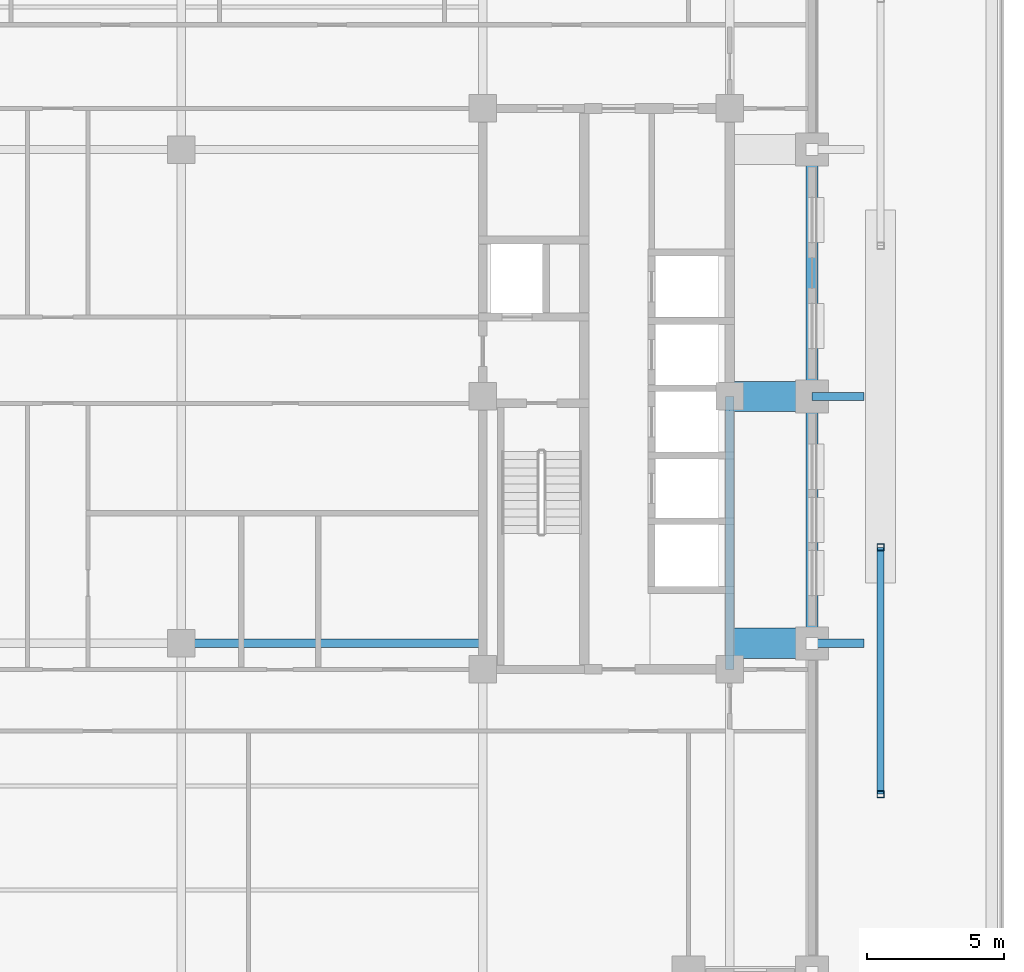
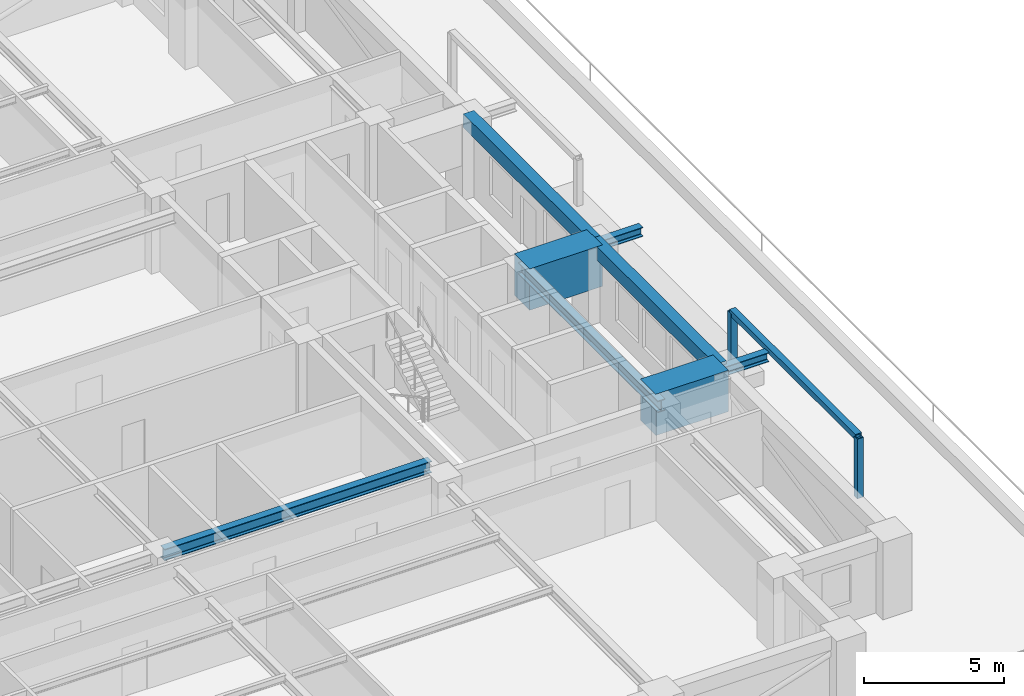
# One storey, part 2 of 17: 8 beams, 3 members.
"""IFC4 building model written with IfcOpenShell, lengths in metres."""

from ifc_helpers import new_model, si_unit, direction, frame, origin, origin_2d, place, context, subcontext, project, spatial, rectangle, hollow_rectangle, i_section, extrude, material, material_profile, profile_set, type_object, element, save


model = new_model("IFC4")

# Units and contexts
model_context = context("Model", 3, precision=1e-05, world=origin(), true_north=direction((0.0, 1.0)))
body_context = subcontext(model_context, "Body", "Model", "MODEL_VIEW")
ifc_project = project(units=[si_unit("LENGTHUNIT", "METRE"), si_unit("AREAUNIT", "SQUARE_METRE"), si_unit("VOLUMEUNIT", "CUBIC_METRE"), si_unit("PLANEANGLEUNIT", "RADIAN"), si_unit("MASSUNIT", "GRAM", prefix="KILO")], contexts=[model_context])

# Site, building, storey
site_placement = place(None, origin())
site = spatial("IfcSite", under=ifc_project, at=site_placement, CompositionType="ELEMENT")
building_placement = place(site_placement, origin())
building = spatial("IfcBuilding", under=site, at=building_placement, Name="Zulmaris Gate Convention Tower", CompositionType="ELEMENT")
storey_placement = place(building_placement, frame((0.0, 0.0, 121.349853515625)))
storey = spatial("IfcBuildingStorey", under=building, at=storey_placement, Name="L30", CompositionType="ELEMENT", Elevation=121.349853515625)

# Beams
ifc_material_1 = material(Name="Steel S355", Category="steel")
ifc_material_profile_1 = material_profile(ifc_material_1, i_section(OverallWidth=0.300048828125, OverallDepth=0.39990234375, WebThickness=0.013427734375, FlangeThickness=0.02392578125, FilletRadius=0.027099609375, at=origin_2d()), Name="HEB 400")
ifc_profile_set_1 = profile_set([ifc_material_profile_1], Name="Steel S355")
beam_type_1 = type_object("IfcBeamType", Name="BM-HEB400", PredefinedType="BEAM", material=ifc_profile_set_1)
for number, where, z_axis, x_axis, name in (
    (1, (23.0, -9.0, 2.97998046875), (1.0, 0.0, 0.0), (0.0, 1.0, 0.0), "L30 Beam TBRK-L30-E--9"),
    (2, (23.0, 0.0, 2.97998046875), (1.0, 0.0, 0.0), (0.0, 1.0, 0.0), "L30 Beam TBRK-L30-E-+0"),
):
    element("IfcBeam", number, at=place(storey_placement, frame(where, z_axis=z_axis, x_axis=x_axis)), inside=storey, type_object=beam_type_1, Name=name, PredefinedType="BEAM", context=body_context, shape_type="SweptSolid", body=[
        extrude(i_section(OverallWidth=0.300048828125, OverallDepth=0.39990234375, WebThickness=0.013427734375, FlangeThickness=0.02392578125, FilletRadius=0.027099609375, at=origin_2d()), origin(), (0.0, 0.0, 1.0), 1.89990234375),
    ])
ifc_material_profile_2 = material_profile(ifc_material_1, i_section(OverallWidth=0.300048828125, OverallDepth=0.5, WebThickness=0.014404296875, FlangeThickness=0.028076171875, FilletRadius=0.027099609375, at=origin_2d()), Name="HEB 500")
ifc_profile_set_2 = profile_set([ifc_material_profile_2], Name="Steel S355")
beam_type_2 = type_object("IfcBeamType", Name="BM-HEB500", PredefinedType="BEAM", material=ifc_profile_set_2)
beam_1_placement = place(storey_placement, frame((0.0, -9.0, 3.068115234375), z_axis=(1.0, 0.0, 0.0), x_axis=(0.0, 1.0, 0.0)))
element("IfcBeam", 3, at=beam_1_placement, inside=storey, type_object=beam_type_2, Name="L30 Beam BM-L30-G02", PredefinedType="BEAM", context=body_context, shape_type="SweptSolid", body=[
    extrude(i_section(OverallWidth=0.300048828125, OverallDepth=0.5, WebThickness=0.014404296875, FlangeThickness=0.028076171875, FilletRadius=0.027099609375, at=origin_2d()), origin(), (0.0, 0.0, 1.0), 11.0),
])
beam_2_placement = place(storey_placement, frame((20.0, -9.949951171875, 3.068115234375), z_axis=(0.0, 1.0, 0.0), x_axis=(-1.0, 0.0, 0.0)))
element("IfcBeam", 4, at=beam_2_placement, inside=storey, type_object=beam_type_2, Name="L30 Beam BM-L30-G28", PredefinedType="BEAM", context=body_context, shape_type="SweptSolid", body=[
    extrude(i_section(OverallWidth=0.300048828125, OverallDepth=0.5, WebThickness=0.014404296875, FlangeThickness=0.028076171875, FilletRadius=0.027099609375, at=origin_2d()), origin(), (0.0, 0.0, 1.0), 9.949951171875),
])
ifc_material_2 = material(Name="Precast concrete C50/60", Category="concrete")
ifc_material_profile_3 = material_profile(ifc_material_2, rectangle(XDim=0.449951171875, YDim=0.60009765625, at=origin_2d()), Name="RC SPANDREL 450x600")
ifc_profile_set_3 = profile_set([ifc_material_profile_3], Name="Precast concrete C50/60")
beam_type_3 = type_object("IfcBeamType", Name="BM-SP450x600", PredefinedType="SPANDREL", material=ifc_profile_set_3)
for number, where, z_axis, x_axis, name in (
    (5, (23.0, -9.0, 3.02001953125), (0.0, 1.0, 0.0), (-1.0, 0.0, 0.0), "L30 Spandrel SP-L30-08"),
    (6, (23.0, 0.0, 3.02001953125), (0.0, 1.0, 0.0), (-1.0, 0.0, 0.0), "L30 Spandrel SP-L30-09"),
):
    element("IfcBeam", number, at=place(storey_placement, frame(where, z_axis=z_axis, x_axis=x_axis)), inside=storey, type_object=beam_type_3, Name=name, PredefinedType="SPANDREL", context=body_context, shape_type="SweptSolid", body=[
        extrude(rectangle(XDim=0.449951171875, YDim=0.60009765625, at=origin_2d()), origin(), (0.0, 0.0, 1.0), 9.0),
    ])
ifc_material_3 = material(Name="Concrete C80/95", Category="concrete")
ifc_material_profile_4 = material_profile(ifc_material_3, rectangle(XDim=1.10009765625, YDim=1.800048828125, at=origin_2d()), Name="RC TRANSFER 1100x1800")
ifc_profile_set_4 = profile_set([ifc_material_profile_4], Name="Concrete C80/95")
beam_type_4 = type_object("IfcBeamType", Name="BM-XFER1800", PredefinedType="BEAM", material=ifc_profile_set_4)
for number, where, z_axis, x_axis, name in (
    (7, (20.0, -9.0, 2.420166015625), (1.0, 0.0, 0.0), (0.0, 1.0, 0.0), "L30 Beam BM-L30-G19"),
    (8, (20.0, 0.0, 2.420166015625), (1.0, 0.0, 0.0), (0.0, 1.0, 0.0), "L30 Beam BM-L30-G20"),
):
    element("IfcBeam", number, at=place(storey_placement, frame(where, z_axis=z_axis, x_axis=x_axis)), inside=storey, type_object=beam_type_4, Name=name, PredefinedType="BEAM", context=body_context, shape_type="SweptSolid", body=[
        extrude(rectangle(XDim=1.10009765625, YDim=1.800048828125, at=origin_2d()), origin(), (0.0, 0.0, 1.0), 3.0),
    ])

# Members
ifc_material_profile_5 = material_profile(ifc_material_1, hollow_rectangle(XDim=0.25, YDim=0.25, WallThickness=0.012451171875, at=origin_2d()), Name="SHS 250x250x12.5")
ifc_profile_set_5 = profile_set([ifc_material_profile_5], Name="Steel S355")
member_type = type_object("IfcMemberType", Name="ST-SHS250", PredefinedType="STRUT", material=ifc_profile_set_5)
for number, where, z_axis, x_axis, name in (
    (9, (25.5, -14.5, -0.0400390625), (0.0, 0.0, 1.0), (1.0, 0.0, 0.0), "L30 Exposed Terrace Planted Pergola Post 1A"),
    (10, (25.5, -5.5, -0.0400390625), (0.0, 0.0, 1.0), (1.0, 0.0, 0.0), "L30 Exposed Terrace Planted Pergola Post 1B"),
):
    element("IfcMember", number, at=place(storey_placement, frame(where, z_axis=z_axis, x_axis=x_axis)), inside=storey, type_object=member_type, Name=name, PredefinedType="STRUT", context=body_context, shape_type="SweptSolid", body=[
        extrude(hollow_rectangle(XDim=0.25, YDim=0.25, WallThickness=0.012451171875, at=origin_2d()), origin(), (0.0, 0.0, 1.0), 2.60009765625),
    ])
member_placement = place(storey_placement, frame((25.5, -14.5, 2.56005859375), z_axis=(0.0, 1.0, 0.0), x_axis=(-1.0, 0.0, 0.0)))
element("IfcMember", 11, at=member_placement, inside=storey, type_object=member_type, Name="L30 Exposed Terrace Planted Pergola Beam 1", PredefinedType="STRUT", context=body_context, shape_type="SweptSolid", body=[
    extrude(hollow_rectangle(XDim=0.25, YDim=0.25, WallThickness=0.012451171875, at=origin_2d()), origin(), (0.0, 0.0, 1.0), 9.0),
])

save(model, "model.ifc")
